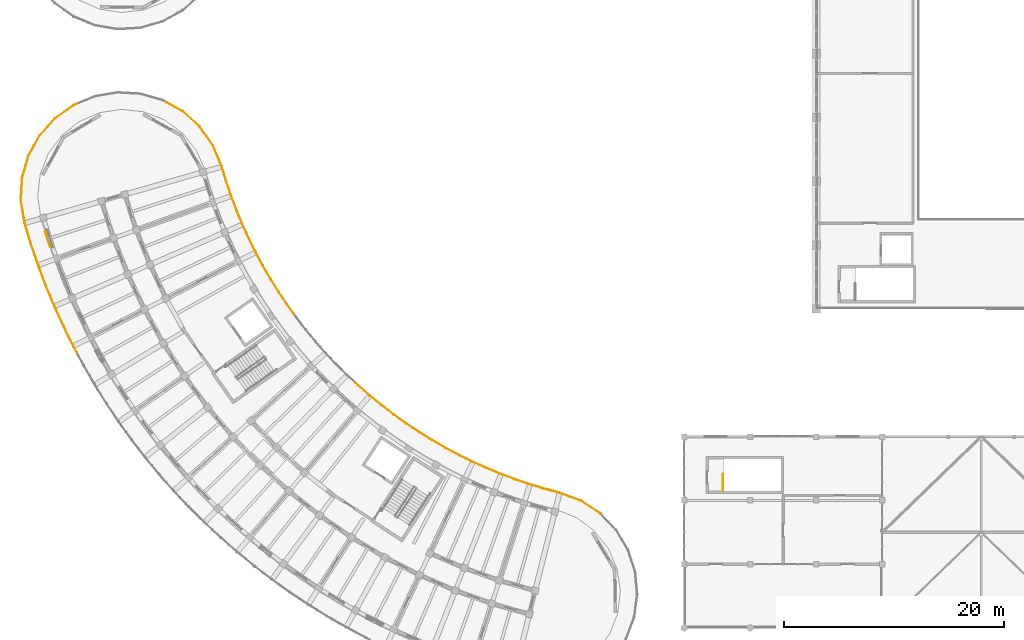
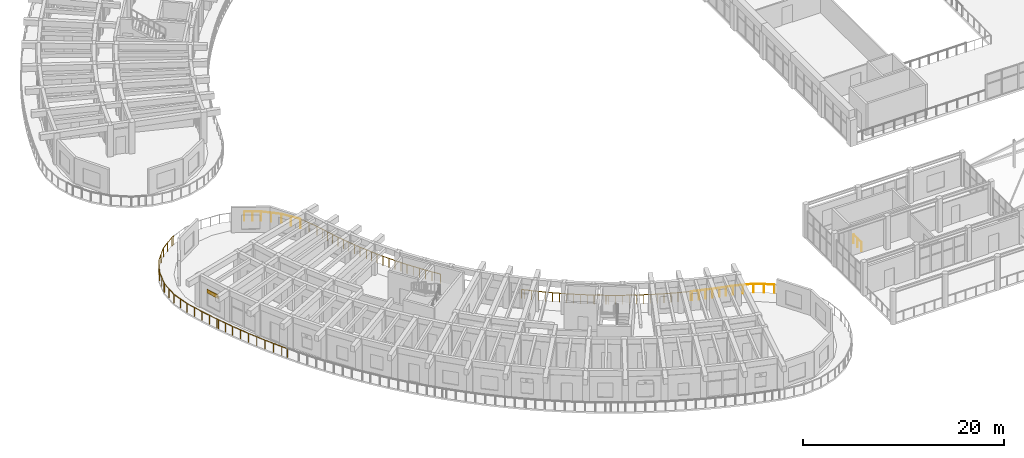
# One storey, part 110 of 128: 10 railings, 1 shading device.
"""IFC4 building model written with IfcOpenShell, lengths in metres."""

from ifc_helpers import new_model, si_unit, direction, frame, origin, origin_2d, place, context, subcontext, project, spatial, rectangle, circle, extrude, material, layer, layer_set, type_object, element, save


model = new_model("IFC4")

# Units and contexts
model_context = context("Model", 3, precision=1e-05, world=origin(), true_north=direction((0.0, 1.0)))
body_context = subcontext(model_context, "Body", "Model", "MODEL_VIEW")
ifc_project = project(units=[si_unit("LENGTHUNIT", "METRE"), si_unit("AREAUNIT", "SQUARE_METRE"), si_unit("VOLUMEUNIT", "CUBIC_METRE"), si_unit("PLANEANGLEUNIT", "RADIAN"), si_unit("MASSUNIT", "GRAM", prefix="KILO")], contexts=[model_context])

# Site, building, storey
site_placement = place(None, origin())
site = spatial("IfcSite", under=ifc_project, at=site_placement, CompositionType="ELEMENT")
building_placement = place(site_placement, origin())
building = spatial("IfcBuilding", under=site, at=building_placement, Name="Tanwirah Colonnade Gardens", CompositionType="ELEMENT")
storey_placement = place(building_placement, frame((0.0, 0.0, 4.760009765625)))
storey = spatial("IfcBuildingStorey", under=building, at=storey_placement, Name="L01", CompositionType="ELEMENT", Elevation=4.760009765625)

# Railings
ifc_material_1 = material(Name="Precast concrete C40/50", Category="concrete")
railing_type_1 = type_object("IfcRailingType", Name="BAL-EXT110", PredefinedType="BALUSTRADE", material=ifc_material_1)
railing_1_placement = place(storey_placement, frame((23.1767578125, 54.664794921875, 0.0)))
element("IfcRailing", 1, at=railing_1_placement, inside=storey, type_object=railing_type_1, Name="Block C L01 Balcony Ribbon Balustrade 1", PredefinedType="BALUSTRADE", context=body_context, shape_type="SweptSolid", body=[
    extrude(circle(Radius=0.02392578125, at=origin_2d()), frame((0.011962890625, -0.02880859375, 1.076171875), z_axis=(0.381489237895, -0.92437328032, 0.0), x_axis=(0.92437328032, 0.381489237895, 0.0)), (0.0, 0.0, 1.0), 2.029541015625),
    extrude(circle(Radius=0.02392578125, at=origin_2d()), frame((0.80712890625, -1.963623046875, 1.076171875), z_axis=(0.291308344694, -0.956629211509, 0.0), x_axis=(0.956629211509, 0.291308344694, 0.0)), (0.0, 0.0, 1.0), 1.327880859375),
    extrude(circle(Radius=0.02392578125, at=origin_2d()), frame((1.2138671875, -3.2958984375, 1.076171875), z_axis=(0.322420738552, -0.946596464895, 0.0), x_axis=(0.946596464895, 0.322420738552, 0.0)), (0.0, 0.0, 1.0), 1.33154296875),
    extrude(circle(Radius=0.02392578125, at=origin_2d()), frame((1.665283203125, -4.61767578125, 1.076171875), z_axis=(0.353291566317, -0.935513265095, 0.0), x_axis=(0.935513265095, 0.353291566317, 0.0)), (0.0, 0.0, 1.0), 1.331298828125),
    extrude(circle(Radius=0.02392578125, at=origin_2d()), frame((2.15966796875, -5.923583984375, 1.076171875), z_axis=(0.383707429873, -0.923454713703, 0.0), x_axis=(0.923454713703, 0.383707429873, 0.0)), (0.0, 0.0, 1.0), 1.33154296875),
    extrude(circle(Radius=0.02392578125, at=origin_2d()), frame((2.696533203125, -7.213134765625, 1.076171875), z_axis=(0.413892102149, -0.9103259459, 0.0), x_axis=(0.9103259459, 0.413892102149, 0.0)), (0.0, 0.0, 1.0), 0.7626953125),
    extrude(circle(Radius=0.02099609375, at=origin_2d()), origin(), (0.0, 0.0, 1.0), 1.049072265625),
    extrude(circle(Radius=0.02099609375, at=origin_2d()), frame((0.39892578125, -0.966796875, 0.0)), (0.0, 0.0, 1.0), 1.049072265625),
    extrude(circle(Radius=0.02099609375, at=origin_2d()), frame((0.798095703125, -1.933837890625, 0.0)), (0.0, 0.0, 1.0), 1.049072265625),
    extrude(circle(Radius=0.02099609375, at=origin_2d()), frame((1.00048828125, -2.598876953125, 0.0)), (0.0, 0.0, 1.0), 1.049072265625),
    extrude(circle(Radius=0.02099609375, at=origin_2d()), frame((1.203125, -3.263916015625, 0.0)), (0.0, 0.0, 1.0), 1.049072265625),
    extrude(circle(Radius=0.02099609375, at=origin_2d()), frame((1.4287109375, -3.92626953125, 0.0)), (0.0, 0.0, 1.0), 1.049072265625),
    extrude(circle(Radius=0.02099609375, at=origin_2d()), frame((1.6533203125, -4.5859375, 0.0)), (0.0, 0.0, 1.0), 1.049072265625),
    extrude(circle(Radius=0.02099609375, at=origin_2d()), frame((1.900390625, -5.240234375, 0.0)), (0.0, 0.0, 1.0), 1.049072265625),
    extrude(circle(Radius=0.02099609375, at=origin_2d()), frame((2.146728515625, -5.892333984375, 0.0)), (0.0, 0.0, 1.0), 1.049072265625),
    extrude(circle(Radius=0.02099609375, at=origin_2d()), frame((2.4150390625, -6.53857421875, 0.0)), (0.0, 0.0, 1.0), 1.049072265625),
    extrude(circle(Radius=0.02099609375, at=origin_2d()), frame((2.6826171875, -7.18212890625, 0.0)), (0.0, 0.0, 1.0), 1.049072265625),
    extrude(circle(Radius=0.02099609375, at=origin_2d()), frame((3.025146484375, -7.935791015625, 0.0)), (0.0, 0.0, 1.0), 1.049072265625),
])
railing_2_placement = place(storey_placement, frame((26.201904296875, 46.72900390625, 0.0)))
element("IfcRailing", 2, at=railing_2_placement, inside=storey, type_object=railing_type_1, Name="Block C L01 Balcony Ribbon Balustrade 2", PredefinedType="BALUSTRADE", context=body_context, shape_type="SweptSolid", body=[
    extrude(circle(Radius=0.02392578125, at=origin_2d()), frame((0.012939453125, -0.028564453125, 1.076171875), z_axis=(0.413414773503, -0.910542818899, 0.0), x_axis=(0.910542818899, 0.413414773503, 0.0)), (0.0, 0.0, 1.0), 0.506103515625),
    extrude(circle(Radius=0.02392578125, at=origin_2d()), frame((0.250244140625, -0.54833984375, 1.076171875), z_axis=(0.443286097627, -0.896380184771, 0.0), x_axis=(0.896380184771, 0.443286097627, 0.0)), (0.0, 0.0, 1.0), 1.33154296875),
    extrude(circle(Radius=0.02392578125, at=origin_2d()), frame((0.8701171875, -1.7998046875, 1.076171875), z_axis=(0.472323466806, -0.881425290484, 0.0), x_axis=(0.881425290484, 0.472323466806, 0.0)), (0.0, 0.0, 1.0), 1.33154296875),
    extrude(circle(Radius=0.02392578125, at=origin_2d()), frame((1.53076171875, -3.0302734375, 1.076171875), z_axis=(0.501015561301, -0.865438274711, 0.0), x_axis=(0.865438274711, 0.501015561301, 0.0)), (0.0, 0.0, 1.0), 1.33154296875),
    extrude(circle(Radius=0.02392578125, at=origin_2d()), frame((2.2314453125, -4.238525390625, 1.076171875), z_axis=(0.529022666758, -0.848607693847, 0.0), x_axis=(0.848607693847, 0.529022666758, 0.0)), (0.0, 0.0, 1.0), 1.33154296875),
    extrude(circle(Radius=0.02392578125, at=origin_2d()), frame((2.970947265625, -5.423095703125, 1.076171875), z_axis=(0.55655786635, -0.830808847692, 0.0), x_axis=(0.830808847692, 0.55655786635, 0.0)), (0.0, 0.0, 1.0), 1.33154296875),
    extrude(circle(Radius=0.02392578125, at=origin_2d()), frame((3.749267578125, -6.5830078125, 1.076171875), z_axis=(0.583385919087, -0.812195093196, 0.0), x_axis=(0.812195093196, 0.583385919087, 0.0)), (0.0, 0.0, 1.0), 0.8828125),
    extrude(circle(Radius=0.02099609375, at=origin_2d()), origin(), (0.0, 0.0, 1.0), 1.049072265625),
    extrude(circle(Radius=0.02099609375, at=origin_2d()), frame((0.235107421875, -0.517822265625, 0.0)), (0.0, 0.0, 1.0), 1.049072265625),
    extrude(circle(Radius=0.02099609375, at=origin_2d()), frame((0.54541015625, -1.14501953125, 0.0)), (0.0, 0.0, 1.0), 1.049072265625),
    extrude(circle(Radius=0.02099609375, at=origin_2d()), frame((0.854248046875, -1.769775390625, 0.0)), (0.0, 0.0, 1.0), 1.049072265625),
    extrude(circle(Radius=0.02099609375, at=origin_2d()), frame((1.1845703125, -2.38671875, 0.0)), (0.0, 0.0, 1.0), 1.049072265625),
    extrude(circle(Radius=0.02099609375, at=origin_2d()), frame((1.513916015625, -3.0009765625, 0.0)), (0.0, 0.0, 1.0), 1.049072265625),
    extrude(circle(Radius=0.02099609375, at=origin_2d()), frame((1.8642578125, -3.6064453125, 0.0)), (0.0, 0.0, 1.0), 1.049072265625),
    extrude(circle(Radius=0.02099609375, at=origin_2d()), frame((2.213623046875, -4.209716796875, 0.0)), (0.0, 0.0, 1.0), 1.049072265625),
    extrude(circle(Radius=0.02099609375, at=origin_2d()), frame((2.58349609375, -4.803466796875, 0.0)), (0.0, 0.0, 1.0), 1.049072265625),
    extrude(circle(Radius=0.02099609375, at=origin_2d()), frame((2.952392578125, -5.39501953125, 0.0)), (0.0, 0.0, 1.0), 1.049072265625),
    extrude(circle(Radius=0.02099609375, at=origin_2d()), frame((3.341552734375, -5.976318359375, 0.0)), (0.0, 0.0, 1.0), 1.049072265625),
    extrude(circle(Radius=0.02099609375, at=origin_2d()), frame((3.7294921875, -6.555419921875, 0.0)), (0.0, 0.0, 1.0), 1.049072265625),
    extrude(circle(Radius=0.02099609375, at=origin_2d()), frame((4.282470703125, -7.325439453125, 0.0)), (0.0, 0.0, 1.0), 1.049072265625),
])
railing_3_placement = place(storey_placement, frame((36.13134765625, 33.070068359375, 0.0)))
element("IfcRailing", 3, at=railing_3_placement, inside=storey, type_object=railing_type_1, Name="Block C L01 Balcony Ribbon Balustrade 4", PredefinedType="BALUSTRADE", context=body_context, shape_type="SweptSolid", body=[
    extrude(circle(Radius=0.02392578125, at=origin_2d()), frame((0.02294921875, -0.021240234375, 1.076171875), z_axis=(0.730857442629, -0.682530144795, 0.0), x_axis=(0.682530144795, 0.730857442629, 0.0)), (0.0, 0.0, 1.0), 0.265869140625),
    extrude(circle(Radius=0.02392578125, at=origin_2d()), frame((0.265380859375, -0.24658203125, 1.076171875), z_axis=(0.752565845379, -0.658517006894, 0.0), x_axis=(0.658517006894, 0.752565845379, 0.0)), (0.0, 0.0, 1.0), 1.33154296875),
    extrude(circle(Radius=0.02392578125, at=origin_2d()), frame((1.317138671875, -1.16552734375, 1.076171875), z_axis=(0.773762182392, -0.633476191424, 0.0), x_axis=(0.633476191424, 0.773762182392, 0.0)), (0.0, 0.0, 1.0), 1.33154296875),
    extrude(circle(Radius=0.02392578125, at=origin_2d()), frame((2.398681640625, -2.049560546875, 1.076171875), z_axis=(0.793969886309, -0.607957087001, 0.0), x_axis=(0.607957087001, 0.793969886309, 0.0)), (0.0, 0.0, 1.0), 1.331298828125),
    extrude(circle(Radius=0.02392578125, at=origin_2d()), frame((3.508056640625, -2.8974609375, 1.076171875), z_axis=(0.813473063063, -0.581602592558, 0.0), x_axis=(0.581602592558, 0.813473063063, 0.0)), (0.0, 0.0, 1.0), 1.33154296875),
    extrude(circle(Radius=0.02392578125, at=origin_2d()), frame((4.64501953125, -3.708984375, 1.076171875), z_axis=(0.832077237554, -0.554659779274, 0.0), x_axis=(0.554659779274, 0.832077237554, 0.0)), (0.0, 0.0, 1.0), 1.33154296875),
    extrude(circle(Radius=0.02392578125, at=origin_2d()), frame((5.8076171875, -4.482666015625, 1.076171875), z_axis=(0.849786479113, -0.527127062401, 0.0), x_axis=(0.527127062401, 0.849786479113, 0.0)), (0.0, 0.0, 1.0), 1.123046875),
    extrude(circle(Radius=0.02099609375, at=origin_2d()), origin(), (0.0, 0.0, 1.0), 1.049072265625),
    extrude(circle(Radius=0.02099609375, at=origin_2d()), frame((0.239990234375, -0.22412109375, 0.0)), (0.0, 0.0, 1.0), 1.049072265625),
    extrude(circle(Radius=0.02099609375, at=origin_2d()), frame((0.7666015625, -0.68505859375, 0.0)), (0.0, 0.0, 1.0), 1.049072265625),
    extrude(circle(Radius=0.02099609375, at=origin_2d()), frame((1.291015625, -1.14404296875, 0.0)), (0.0, 0.0, 1.0), 1.049072265625),
    extrude(circle(Radius=0.02099609375, at=origin_2d()), frame((1.832275390625, -1.58740234375, 0.0)), (0.0, 0.0, 1.0), 1.049072265625),
    extrude(circle(Radius=0.02099609375, at=origin_2d()), frame((2.37158203125, -2.02880859375, 0.0)), (0.0, 0.0, 1.0), 1.049072265625),
    extrude(circle(Radius=0.02099609375, at=origin_2d()), frame((2.92724609375, -2.4541015625, 0.0)), (0.0, 0.0, 1.0), 1.049072265625),
    extrude(circle(Radius=0.02099609375, at=origin_2d()), frame((3.48046875, -2.8779296875, 0.0)), (0.0, 0.0, 1.0), 1.049072265625),
    extrude(circle(Radius=0.02099609375, at=origin_2d()), frame((4.0498046875, -3.28466796875, 0.0)), (0.0, 0.0, 1.0), 1.049072265625),
    extrude(circle(Radius=0.02099609375, at=origin_2d()), frame((4.61669921875, -3.690185546875, 0.0)), (0.0, 0.0, 1.0), 1.049072265625),
    extrude(circle(Radius=0.02099609375, at=origin_2d()), frame((5.19873046875, -4.078125, 0.0)), (0.0, 0.0, 1.0), 1.049072265625),
    extrude(circle(Radius=0.02099609375, at=origin_2d()), frame((5.77880859375, -4.46484375, 0.0)), (0.0, 0.0, 1.0), 1.049072265625),
    extrude(circle(Radius=0.02099609375, at=origin_2d()), frame((6.78857421875, -5.09130859375, 0.0)), (0.0, 0.0, 1.0), 1.049072265625),
])
railing_4_placement = place(storey_placement, frame((42.919921875, 27.978759765625, 0.0)))
element("IfcRailing", 4, at=railing_4_placement, inside=storey, type_object=railing_type_1, Name="Block C L01 Balcony Ribbon Balustrade 5", PredefinedType="BALUSTRADE", context=body_context, shape_type="SweptSolid", body=[
    extrude(circle(Radius=0.02392578125, at=origin_2d()), frame((0.026611328125, -0.0166015625, 1.076171875), z_axis=(0.849640166198, -0.527362861778, 0.0), x_axis=(0.527362861778, 0.849640166198, 0.0)), (0.0, 0.0, 1.0), 0.145751953125),
    extrude(circle(Radius=0.02392578125, at=origin_2d()), frame((0.206298828125, -0.126708984375, 1.076171875), z_axis=(0.866535241782, -0.499115893104, 0.0), x_axis=(0.499115893104, 0.866535241782, 0.0)), (0.0, 0.0, 1.0), 1.33154296875),
    extrude(circle(Radius=0.02392578125, at=origin_2d()), frame((1.417236328125, -0.82275390625, 1.076171875), z_axis=(0.88242081136, -0.470460956593, 0.0), x_axis=(0.470460956593, 0.88242081136, 0.0)), (0.0, 0.0, 1.0), 1.331298828125),
    extrude(circle(Radius=0.02392578125, at=origin_2d()), frame((2.650146484375, -1.47900390625, 1.076171875), z_axis=(0.897349966121, -0.441319655469, 0.0), x_axis=(0.441319655469, 0.897349966121, 0.0)), (0.0, 0.0, 1.0), 1.33154296875),
    extrude(circle(Radius=0.02392578125, at=origin_2d()), frame((3.90380859375, -2.094482421875, 1.076171875), z_axis=(0.911383314029, -0.411558568018, 0.0), x_axis=(0.411558568018, 0.911383314029, 0.0)), (0.0, 0.0, 1.0), 1.33154296875),
    extrude(circle(Radius=0.02392578125, at=origin_2d()), frame((5.177001953125, -2.66845703125, 1.076171875), z_axis=(0.924300384608, -0.381665821122, 0.0), x_axis=(0.381665821122, 0.924300384608, 0.0)), (0.0, 0.0, 1.0), 1.331298828125),
    extrude(circle(Radius=0.02392578125, at=origin_2d()), frame((6.46826171875, -3.200439453125, 1.076171875), z_axis=(0.936267698759, -0.351287341447, 0.0), x_axis=(0.351287341447, 0.936267698759, 0.0)), (0.0, 0.0, 1.0), 1.243408203125),
    extrude(circle(Radius=0.02099609375, at=origin_2d()), origin(), (0.0, 0.0, 1.0), 1.049072265625),
    extrude(circle(Radius=0.02099609375, at=origin_2d()), frame((0.177001953125, -0.10986328125, 0.0)), (0.0, 0.0, 1.0), 1.049072265625),
    extrude(circle(Radius=0.02099609375, at=origin_2d()), frame((0.783203125, -0.458984375, 0.0)), (0.0, 0.0, 1.0), 1.049072265625),
    extrude(circle(Radius=0.02099609375, at=origin_2d()), frame((1.38720703125, -0.806884765625, 0.0)), (0.0, 0.0, 1.0), 1.049072265625),
    extrude(circle(Radius=0.02099609375, at=origin_2d()), frame((2.004638671875, -1.135986328125, 0.0)), (0.0, 0.0, 1.0), 1.049072265625),
    extrude(circle(Radius=0.02099609375, at=origin_2d()), frame((2.61962890625, -1.4638671875, 0.0)), (0.0, 0.0, 1.0), 1.049072265625),
    extrude(circle(Radius=0.02099609375, at=origin_2d()), frame((3.24755859375, -1.772705078125, 0.0)), (0.0, 0.0, 1.0), 1.049072265625),
    extrude(circle(Radius=0.02099609375, at=origin_2d()), frame((3.873046875, -2.080322265625, 0.0)), (0.0, 0.0, 1.0), 1.049072265625),
    extrude(circle(Radius=0.02099609375, at=origin_2d()), frame((4.510498046875, -2.368408203125, 0.0)), (0.0, 0.0, 1.0), 1.049072265625),
    extrude(circle(Radius=0.02099609375, at=origin_2d()), frame((5.145751953125, -2.6552734375, 0.0)), (0.0, 0.0, 1.0), 1.049072265625),
    extrude(circle(Radius=0.02099609375, at=origin_2d()), frame((5.79248046875, -2.92236328125, 0.0)), (0.0, 0.0, 1.0), 1.049072265625),
    extrude(circle(Radius=0.02099609375, at=origin_2d()), frame((6.4365234375, -3.1884765625, 0.0)), (0.0, 0.0, 1.0), 1.049072265625),
    extrude(circle(Radius=0.02099609375, at=origin_2d()), frame((7.66162109375, -3.648193359375, 0.0)), (0.0, 0.0, 1.0), 1.049072265625),
])
railing_5_placement = place(storey_placement, frame((50.58154296875, 24.33056640625, 0.0)))
element("IfcRailing", 5, at=railing_5_placement, inside=storey, type_object=railing_type_1, Name="Block C L01 Balcony Ribbon Balustrade 6", PredefinedType="BALUSTRADE", context=body_context, shape_type="SweptSolid", body=[
    extrude(circle(Radius=0.02392578125, at=origin_2d()), frame((0.029296875, -0.010986328125, 1.076171875), z_axis=(0.937010964775, -0.349299945449, 0.0), x_axis=(0.349299945449, 0.937010964775, 0.0)), (0.0, 0.0, 1.0), 0.025634765625),
    extrude(circle(Radius=0.02392578125, at=origin_2d()), frame((0.114501953125, -0.041748046875, 1.076171875), z_axis=(0.947255234668, -0.320480140404, 0.0), x_axis=(0.320480140404, 0.947255234668, 0.0)), (0.0, 0.0, 1.0), 1.33154296875),
    extrude(circle(Radius=0.02392578125, at=origin_2d()), frame((1.438232421875, -0.48828125, 1.076171875), z_axis=(0.957270084886, -0.289195408993, 0.0), x_axis=(0.289195408993, 0.957270084886, 0.0)), (0.0, 0.0, 1.0), 1.331298828125),
    extrude(circle(Radius=0.02392578125, at=origin_2d()), frame((2.775390625, -0.89111328125, 1.076171875), z_axis=(0.96619995466, -0.257793808332, 0.0), x_axis=(0.257793808332, 0.96619995466, 0.0)), (0.0, 0.0, 1.0), 1.32763671875),
    extrude(circle(Radius=0.02392578125, at=origin_2d()), frame((4.11767578125, -1.25244140625, 1.076171875), z_axis=(0.937103821965, -0.349050751121, 0.0), x_axis=(0.349050751121, 0.937103821965, 0.0)), (0.0, 0.0, 1.0), 2.029541015625),
    extrude(circle(Radius=0.02392578125, at=origin_2d()), frame((6.074951171875, -1.98876953125, 1.076171875), z_axis=(0.835935529347, -0.548827651248, 0.0), x_axis=(0.548827651248, 0.835935529347, 0.0)), (0.0, 0.0, 1.0), 2.024169921875),
    extrude(circle(Radius=0.02099609375, at=origin_2d()), origin(), (0.0, 0.0, 1.0), 1.049072265625),
    extrude(circle(Radius=0.02099609375, at=origin_2d()), frame((0.08251953125, -0.03076171875, 0.0)), (0.0, 0.0, 1.0), 1.049072265625),
    extrude(circle(Radius=0.02099609375, at=origin_2d()), frame((0.7451171875, -0.255126953125, 0.0)), (0.0, 0.0, 1.0), 1.049072265625),
    extrude(circle(Radius=0.02099609375, at=origin_2d()), frame((1.405517578125, -0.478515625, 0.0)), (0.0, 0.0, 1.0), 1.049072265625),
    extrude(circle(Radius=0.02099609375, at=origin_2d()), frame((2.0751953125, -0.6806640625, 0.0)), (0.0, 0.0, 1.0), 1.049072265625),
    extrude(circle(Radius=0.02099609375, at=origin_2d()), frame((2.742431640625, -0.88232421875, 0.0)), (0.0, 0.0, 1.0), 1.049072265625),
    extrude(circle(Radius=0.02099609375, at=origin_2d()), frame((3.416748046875, -1.062255859375, 0.0)), (0.0, 0.0, 1.0), 1.049072265625),
    extrude(circle(Radius=0.02099609375, at=origin_2d()), frame((4.08837890625, -1.241455078125, 0.0)), (0.0, 0.0, 1.0), 1.049072265625),
    extrude(circle(Radius=0.02099609375, at=origin_2d()), frame((5.068603515625, -1.6064453125, 0.0)), (0.0, 0.0, 1.0), 1.049072265625),
    extrude(circle(Radius=0.02099609375, at=origin_2d()), frame((6.048828125, -1.9716796875, 0.0)), (0.0, 0.0, 1.0), 1.049072265625),
    extrude(circle(Radius=0.02099609375, at=origin_2d()), frame((6.9208984375, -2.54443359375, 0.0)), (0.0, 0.0, 1.0), 1.049072265625),
    extrude(circle(Radius=0.02099609375, at=origin_2d()), frame((7.793212890625, -3.116943359375, 0.0)), (0.0, 0.0, 1.0), 1.049072265625),
])
railing_6_placement = place(storey_placement, frame((10.80078125, 35.834716796875, 0.0)))
element("IfcRailing", 6, at=railing_6_placement, inside=storey, type_object=railing_type_1, Name="Block C L01 Balcony Ribbon Balustrade 16", PredefinedType="BALUSTRADE", context=body_context, shape_type="SweptSolid", body=[
    extrude(circle(Radius=0.02392578125, at=origin_2d()), frame((-0.0146484375, 0.027587890625, 1.076171875), z_axis=(-0.472201112316, 0.881490844835, 0.0), x_axis=(-0.881490844835, -0.472201112316, 0.0)), (0.0, 0.0, 1.0), 0.60498046875),
    extrude(circle(Radius=0.02392578125, at=origin_2d()), frame((-0.3291015625, 0.616455078125, 1.076171875), z_axis=(-0.443316350815, 0.896365223054, 0.0), x_axis=(-0.896365223054, -0.443316350815, 0.0)), (0.0, 0.0, 1.0), 1.9443359375),
    extrude(circle(Radius=0.02392578125, at=origin_2d()), frame((-1.2177734375, 2.415771484375, 1.076171875), z_axis=(-0.413665439989, 0.910428966893, 0.0), x_axis=(-0.910428966893, -0.413665439989, 0.0)), (0.0, 0.0, 1.0), 1.944091796875),
    extrude(circle(Radius=0.02392578125, at=origin_2d()), frame((-2.046875, 4.242919921875, 1.076171875), z_axis=(-0.383777149523, 0.923425741196, 0.0), x_axis=(-0.923425741196, -0.383777149523, 0.0)), (0.0, 0.0, 1.0), 1.94384765625),
    extrude(circle(Radius=0.02392578125, at=origin_2d()), frame((-2.81591796875, 6.09619140625, 1.076171875), z_axis=(-0.353159580161, 0.935563098321, 0.0), x_axis=(-0.935563098321, -0.353159580161, 0.0)), (0.0, 0.0, 1.0), 1.75),
    extrude(circle(Radius=0.02099609375, at=origin_2d()), origin(), (0.0, 0.0, 1.0), 1.049072265625),
    extrude(circle(Radius=0.02099609375, at=origin_2d()), frame((-0.315185546875, 0.58837890625, 0.0)), (0.0, 0.0, 1.0), 1.049072265625),
    extrude(circle(Radius=0.02099609375, at=origin_2d()), frame((-0.760009765625, 1.48779296875, 0.0)), (0.0, 0.0, 1.0), 1.049072265625),
    extrude(circle(Radius=0.02099609375, at=origin_2d()), frame((-1.204833984375, 2.38720703125, 0.0)), (0.0, 0.0, 1.0), 1.049072265625),
    extrude(circle(Radius=0.02099609375, at=origin_2d()), frame((-1.619873046875, 3.30078125, 0.0)), (0.0, 0.0, 1.0), 1.049072265625),
    extrude(circle(Radius=0.02099609375, at=origin_2d()), frame((-2.034912109375, 4.214111328125, 0.0)), (0.0, 0.0, 1.0), 1.049072265625),
    extrude(circle(Radius=0.02099609375, at=origin_2d()), frame((-2.419921875, 5.140625, 0.0)), (0.0, 0.0, 1.0), 1.049072265625),
    extrude(circle(Radius=0.02099609375, at=origin_2d()), frame((-2.804931640625, 6.06689453125, 0.0)), (0.0, 0.0, 1.0), 1.049072265625),
    extrude(circle(Radius=0.02099609375, at=origin_2d()), frame((-3.125, 6.914794921875, 0.0)), (0.0, 0.0, 1.0), 1.049072265625),
    extrude(circle(Radius=0.02099609375, at=origin_2d()), frame((-3.445068359375, 7.7626953125, 0.0)), (0.0, 0.0, 1.0), 1.049072265625),
])
railing_7_placement = place(storey_placement, frame((7.355712890625, 43.597412109375, 0.0)))
element("IfcRailing", 7, at=railing_7_placement, inside=storey, type_object=railing_type_1, Name="Block C L01 Balcony Ribbon Balustrade 17", PredefinedType="BALUSTRADE", context=body_context, shape_type="SweptSolid", body=[
    extrude(circle(Radius=0.02392578125, at=origin_2d()), frame((-0.010986328125, 0.029296875, 1.076171875), z_axis=(-0.353327210697, 0.935499803411, 0.0), x_axis=(-0.935499803411, -0.353327210697, 0.0)), (0.0, 0.0, 1.0), 0.131591796875),
    extrude(circle(Radius=0.02392578125, at=origin_2d()), frame((-0.07861328125, 0.211181640625, 1.076171875), z_axis=(-0.322426184604, 0.946594609895, 0.0), x_axis=(-0.946594609895, -0.322426184604, 0.0)), (0.0, 0.0, 1.0), 1.944091796875),
    extrude(circle(Radius=0.02392578125, at=origin_2d()), frame((-0.724609375, 2.11083984375, 1.076171875), z_axis=(-0.291360501176, 0.956613327502, 0.0), x_axis=(-0.956613327502, -0.291360501176, 0.0)), (0.0, 0.0, 1.0), 1.940185546875),
    extrude(circle(Radius=0.02392578125, at=origin_2d()), frame((-1.30419921875, 4.027587890625, 1.076171875), z_axis=(-0.166273240714, 0.98607971758, 0.0), x_axis=(-0.98607971758, -0.166273240714, 0.0)), (0.0, 0.0, 1.0), 2.0283203125),
    extrude(circle(Radius=0.02392578125, at=origin_2d()), frame((-1.64501953125, 6.08984375, 1.076171875), z_axis=(0.057322977065, 0.998355686266, 0.0), x_axis=(-0.998355686266, 0.057322977065, 0.0)), (0.0, 0.0, 1.0), 2.0244140625),
    extrude(circle(Radius=0.02392578125, at=origin_2d()), frame((-1.518310546875, 8.172119140625, 1.076171875), z_axis=(0.277708416947, 0.960665412699, 0.0), x_axis=(-0.960665412699, 0.277708416947, 0.0)), (0.0, 0.0, 1.0), 0.05615234375),
    extrude(circle(Radius=0.02099609375, at=origin_2d()), origin(), (0.0, 0.0, 1.0), 1.049072265625),
    extrude(circle(Radius=0.02099609375, at=origin_2d()), frame((-0.068603515625, 0.181640625, 0.0)), (0.0, 0.0, 1.0), 1.049072265625),
    extrude(circle(Radius=0.02099609375, at=origin_2d()), frame((-0.39208984375, 1.13134765625, 0.0)), (0.0, 0.0, 1.0), 1.049072265625),
    extrude(circle(Radius=0.02099609375, at=origin_2d()), frame((-0.715576171875, 2.0810546875, 0.0)), (0.0, 0.0, 1.0), 1.049072265625),
    extrude(circle(Radius=0.02099609375, at=origin_2d()), frame((-1.00732421875, 3.0390625, 0.0)), (0.0, 0.0, 1.0), 1.049072265625),
    extrude(circle(Radius=0.02099609375, at=origin_2d()), frame((-1.299072265625, 3.996826171875, 0.0)), (0.0, 0.0, 1.0), 1.049072265625),
    extrude(circle(Radius=0.02099609375, at=origin_2d()), frame((-1.472900390625, 5.02783203125, 0.0)), (0.0, 0.0, 1.0), 1.049072265625),
    extrude(circle(Radius=0.02099609375, at=origin_2d()), frame((-1.646728515625, 6.05859375, 0.0)), (0.0, 0.0, 1.0), 1.049072265625),
    extrude(circle(Radius=0.02099609375, at=origin_2d()), frame((-1.5869140625, 7.100341796875, 0.0)), (0.0, 0.0, 1.0), 1.049072265625),
    extrude(circle(Radius=0.02099609375, at=origin_2d()), frame((-1.527099609375, 8.14208984375, 0.0)), (0.0, 0.0, 1.0), 1.049072265625),
    extrude(circle(Radius=0.02099609375, at=origin_2d()), frame((-1.494140625, 8.256103515625, 0.0)), (0.0, 0.0, 1.0), 1.049072265625),
])
railing_8_placement = place(storey_placement, frame((5.861572265625, 51.853515625, 0.0)))
element("IfcRailing", 8, at=railing_8_placement, inside=storey, type_object=railing_type_1, Name="Block C L01 Balcony Ribbon Balustrade 18", PredefinedType="BALUSTRADE", context=body_context, shape_type="SweptSolid", body=[
    extrude(circle(Radius=0.02392578125, at=origin_2d()), frame((0.0087890625, 0.030029296875, 1.076171875), z_axis=(0.278012892346, 0.960577342898, 0.0), x_axis=(-0.960577342898, 0.278012892346, 0.0)), (0.0, 0.0, 1.0), 1.905517578125),
    extrude(circle(Radius=0.02392578125, at=origin_2d()), frame((0.562255859375, 1.917724609375, 1.076171875), z_axis=(0.484758723036, 0.874647917988, 0.0), x_axis=(-0.874647917988, 0.484758723036, 0.0)), (0.0, 0.0, 1.0), 2.0244140625),
    extrude(circle(Radius=0.02392578125, at=origin_2d()), frame((1.57958984375, 3.739013671875, 1.076171875), z_axis=(0.667321336148, 0.744769920393, 0.0), x_axis=(-0.744769920393, 0.667321336148, 0.0)), (0.0, 0.0, 1.0), 2.0244140625),
    extrude(circle(Radius=0.02392578125, at=origin_2d()), frame((2.97705078125, 5.2880859375, 1.076171875), z_axis=(0.816286486525, 0.577647272924, 0.0), x_axis=(-0.577647272924, 0.816286486525, 0.0)), (0.0, 0.0, 1.0), 2.0244140625),
    extrude(circle(Radius=0.02392578125, at=origin_2d()), frame((4.683837890625, 6.487548828125, 1.076171875), z_axis=(0.924323547442, 0.381609721631, 0.0), x_axis=(-0.381609721631, 0.924323547442, 0.0)), (0.0, 0.0, 1.0), 0.208740234375),
    extrude(circle(Radius=0.02099609375, at=origin_2d()), origin(), (0.0, 0.0, 1.0), 1.049072265625),
    extrude(circle(Radius=0.02099609375, at=origin_2d()), frame((0.2734375, 0.9453125, 0.0)), (0.0, 0.0, 1.0), 1.049072265625),
    extrude(circle(Radius=0.02099609375, at=origin_2d()), frame((0.547119140625, 1.890380859375, 0.0)), (0.0, 0.0, 1.0), 1.049072265625),
    extrude(circle(Radius=0.02099609375, at=origin_2d()), frame((1.052978515625, 2.80322265625, 0.0)), (0.0, 0.0, 1.0), 1.049072265625),
    extrude(circle(Radius=0.02099609375, at=origin_2d()), frame((1.558837890625, 3.7158203125, 0.0)), (0.0, 0.0, 1.0), 1.049072265625),
    extrude(circle(Radius=0.02099609375, at=origin_2d()), frame((2.255126953125, 4.492919921875, 0.0)), (0.0, 0.0, 1.0), 1.049072265625),
    extrude(circle(Radius=0.02099609375, at=origin_2d()), frame((2.951416015625, 5.27001953125, 0.0)), (0.0, 0.0, 1.0), 1.049072265625),
    extrude(circle(Radius=0.02099609375, at=origin_2d()), frame((3.80322265625, 5.872802734375, 0.0)), (0.0, 0.0, 1.0), 1.049072265625),
    extrude(circle(Radius=0.02099609375, at=origin_2d()), frame((4.655029296875, 6.4755859375, 0.0)), (0.0, 0.0, 1.0), 1.049072265625),
    extrude(circle(Radius=0.02099609375, at=origin_2d()), frame((4.90576171875, 6.5791015625, 0.0)), (0.0, 0.0, 1.0), 1.049072265625),
])
railing_9_placement = place(storey_placement, frame((18.9619140625, 58.567138671875, 0.0)))
element("IfcRailing", 9, at=railing_9_placement, inside=storey, type_object=railing_type_1, Name="Block C L01 Balcony Ribbon Balustrade 20", PredefinedType="BALUSTRADE", context=body_context, shape_type="SweptSolid", body=[
    extrude(circle(Radius=0.02392578125, at=origin_2d()), frame((0.02734375, -0.01513671875, 1.076171875), z_axis=(0.874627650651, -0.484795289495, 0.0), x_axis=(0.484795289495, 0.874627650651, 0.0)), (0.0, 0.0, 1.0), 1.600830078125),
    extrude(circle(Radius=0.02392578125, at=origin_2d()), frame((1.47802734375, -0.8271484375, 1.076171875), z_axis=(0.744822012119, -0.667263194146, 0.0), x_axis=(0.667263194146, 0.744822012119, 0.0)), (0.0, 0.0, 1.0), 2.0244140625),
    extrude(circle(Radius=0.02392578125, at=origin_2d()), frame((3.02734375, -2.224609375, 1.076171875), z_axis=(0.577702435947, -0.81624744747, 0.0), x_axis=(0.81624744747, 0.577702435947, 0.0)), (0.0, 0.0, 1.0), 2.0244140625),
    extrude(circle(Radius=0.02099609375, at=origin_2d()), origin(), (0.0, 0.0, 1.0), 1.049072265625),
    extrude(circle(Radius=0.02099609375, at=origin_2d()), frame((0.7275390625, -0.4033203125, 0.0)), (0.0, 0.0, 1.0), 1.049072265625),
    extrude(circle(Radius=0.02099609375, at=origin_2d()), frame((1.454833984375, -0.806396484375, 0.0)), (0.0, 0.0, 1.0), 1.049072265625),
    extrude(circle(Radius=0.02099609375, at=origin_2d()), frame((2.23193359375, -1.502685546875, 0.0)), (0.0, 0.0, 1.0), 1.049072265625),
    extrude(circle(Radius=0.02099609375, at=origin_2d()), frame((3.00927734375, -2.198974609375, 0.0)), (0.0, 0.0, 1.0), 1.049072265625),
    extrude(circle(Radius=0.02099609375, at=origin_2d()), frame((3.612060546875, -3.05078125, 0.0)), (0.0, 0.0, 1.0), 1.049072265625),
    extrude(circle(Radius=0.02099609375, at=origin_2d()), frame((4.21484375, -3.90234375, 0.0)), (0.0, 0.0, 1.0), 1.049072265625),
])
ifc_material_2 = material(Name="Powder-coated galvanized steel", Category="steel")
railing_type_2 = type_object("IfcRailingType", Name="GRD-ST110", PredefinedType="GUARDRAIL", material=ifc_material_2)
railing_10_placement = place(storey_placement, frame((69.550048828125, 23.25, 0.0)))
element("IfcRailing", 10, at=railing_10_placement, inside=storey, type_object=railing_type_2, Name="L01 ST-SW top well guard 1", PredefinedType="GUARDRAIL", context=body_context, shape_type="SweptSolid", body=[
    extrude(circle(Radius=0.02392578125, at=origin_2d()), frame((0.0, 0.03125, 1.076171875), z_axis=(0.0, 1.0, 0.0), x_axis=(-1.0, 0.0, 0.0)), (0.0, 0.0, 1.0), 1.4775390625),
    extrude(circle(Radius=0.02099609375, at=origin_2d()), origin(), (0.0, 0.0, 1.0), 1.049072265625),
    extrude(circle(Radius=0.02099609375, at=origin_2d()), frame((0.0, 0.77001953125, 0.0)), (0.0, 0.0, 1.0), 1.049072265625),
    extrude(circle(Radius=0.02099609375, at=origin_2d()), frame((0.0, 1.5400390625, 0.0)), (0.0, 0.0, 1.0), 1.049072265625),
])

# Shading device
ifc_material_3 = material(Name="Perforated architectural bronze aluminium", Category="aluminium")
ifc_layer = layer(ifc_material_3, 0.050048828125)
ifc_layer_set = layer_set([ifc_layer], Name="Perforated architectural bronze aluminium")
shading_device_type = type_object("IfcShadingDeviceType", Name="SHD-OVH1", PredefinedType="SHUTTER", material=ifc_layer_set)
shading_device_placement = place(storey_placement, frame((8.154541015625, 46.11962890625, 2.18505859375), z_axis=(0.0, 0.0, 1.0), x_axis=(0.30694165475, -0.951728333391, 0.0)))
element("IfcShadingDevice", 11, at=shading_device_placement, inside=storey, type_object=shading_device_type, Name="Solar shading louver hood C-L01-00", PredefinedType="SHUTTER", context=body_context, shape_type="SweptSolid", body=[
    extrude(rectangle(XDim=1.5, YDim=0.06005859375, at=origin_2d()), origin(), (0.0, 0.0, 1.0), 0.449951171875),
])

save(model, "model.ifc")
